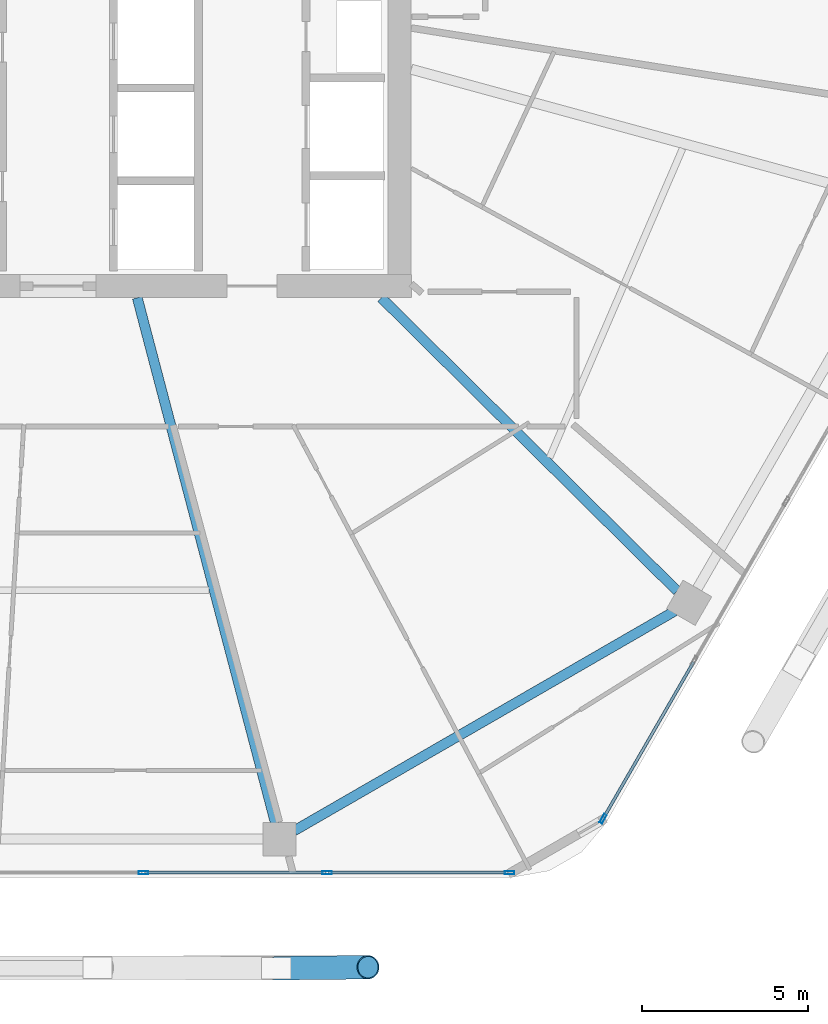
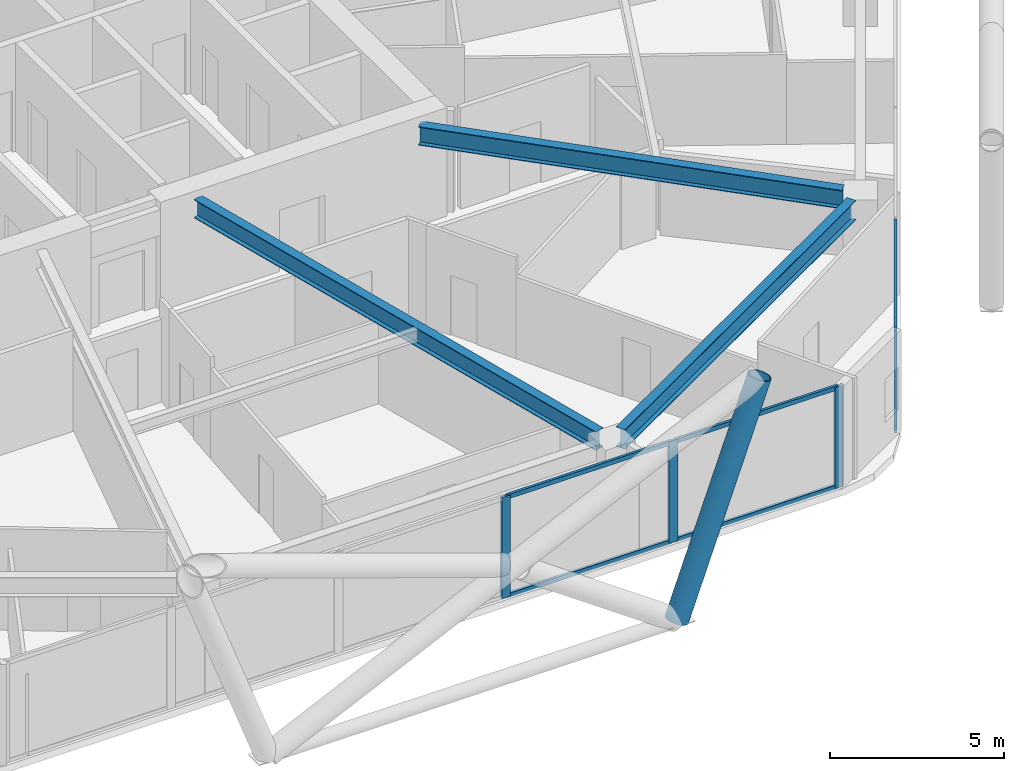
# One storey, part 7 of 28: 11 members, 3 beams, 2 elements without a shape of their own.
"""IFC4 building model written with IfcOpenShell, lengths in metres."""

from ifc_helpers import new_model, si_unit, direction, frame, origin, origin_2d, place, context, subcontext, project, spatial, hollow_rectangle, hollow_circle, i_section, extrude, material, material_profile, profile_set, type_object, element, aggregate, save


model = new_model("IFC4")

# Units and contexts
model_context = context("Model", 3, precision=1e-05, world=origin(), true_north=direction((0.0, 1.0)))
body_context = subcontext(model_context, "Body", "Model", "MODEL_VIEW")
ifc_project = project(units=[si_unit("LENGTHUNIT", "METRE"), si_unit("AREAUNIT", "SQUARE_METRE"), si_unit("VOLUMEUNIT", "CUBIC_METRE"), si_unit("PLANEANGLEUNIT", "RADIAN"), si_unit("MASSUNIT", "GRAM", prefix="KILO")], contexts=[model_context])

# Site, building, storey
site_placement = place(None, origin())
site = spatial("IfcSite", under=ifc_project, at=site_placement, CompositionType="ELEMENT")
building_placement = place(site_placement, origin())
building = spatial("IfcBuilding", under=site, at=building_placement, Name="Zuhravey Tower", CompositionType="ELEMENT")
storey_placement = place(building_placement, frame((0.0, 0.0, 169.39990234375)))
storey = spatial("IfcBuildingStorey", under=building, at=storey_placement, Name="L42", CompositionType="ELEMENT", Elevation=169.39990234375)

# Curtain wall, member
ifc_material_1 = material(Name="Thermally broken anodised aluminium", Category="aluminium")
curtain_wall_type = type_object("IfcCurtainWallType", Name="Zone 1-2 Residential Curtain Wall CW3", PredefinedType="NOTDEFINED", material=ifc_material_1)
curtain_wall_1_placement = place(storey_placement, origin())
curtain_wall_1 = element("IfcCurtainWall", 1, at=curtain_wall_1_placement, inside=storey, type_object=curtain_wall_type, Name="L42 CW3 CW-L42-F6-1", PredefinedType="NOTDEFINED")
ifc_material_2 = material(Name="Anodised aluminium", Category="aluminium")
ifc_material_profile_1 = material_profile(ifc_material_2, hollow_rectangle(XDim=0.090087890625, YDim=0.284912109375, WallThickness=0.0048828125, at=origin_2d()), Name="ALU-RHS-90x285x5")
ifc_profile_set_1 = profile_set([ifc_material_profile_1], Name="Anodised aluminium")
member_type_1 = type_object("IfcMemberType", Name="Curtain-Wall Mullion 90x180", PredefinedType="MULLION", material=ifc_profile_set_1)
member_1_placement = place(storey_placement, frame((52.63330078125, 6.443359375, 0.0), z_axis=(0.0, 0.0, 1.0), x_axis=(0.866025138215, -0.500000459979, 0.0)))
member_1 = element("IfcMember", 2, at=member_1_placement, type_object=member_type_1, Name="CW3 mullion 6", PredefinedType="MULLION", context=body_context, shape_type="SweptSolid", body=[
    extrude(hollow_rectangle(XDim=0.090087890625, YDim=0.284912109375, WallThickness=0.0048828125, at=origin_2d()), origin(), (0.0, 0.0, 1.0), 3.550048828125),
])

# Curtain wall, members
curtain_wall_2_placement = place(storey_placement, origin())
curtain_wall_2 = element("IfcCurtainWall", 3, at=curtain_wall_2_placement, inside=storey, type_object=curtain_wall_type, Name="L42 CW3 CW-L42-F5-1", PredefinedType="NOTDEFINED")
member_2_placement = place(storey_placement, frame((49.816162109375, 4.81689453125, 0.0), z_axis=(0.0, 0.0, 1.0), x_axis=(0.0, -1.0, 0.0)))
member_2 = element("IfcMember", 4, at=member_2_placement, type_object=member_type_1, Name="CW3 mullion 1", PredefinedType="MULLION", context=body_context, shape_type="SweptSolid", body=[
    extrude(hollow_rectangle(XDim=0.090087890625, YDim=0.284912109375, WallThickness=0.0048828125, at=origin_2d()), origin(), (0.0, 0.0, 1.0), 3.550048828125),
])
member_3_placement = place(storey_placement, frame((44.316650390625, 4.81689453125, 0.0), z_axis=(0.0, 0.0, 1.0), x_axis=(0.0, -1.0, 0.0)))
member_3 = element("IfcMember", 5, at=member_3_placement, type_object=member_type_1, Name="CW3 mullion 2", PredefinedType="MULLION", context=body_context, shape_type="SweptSolid", body=[
    extrude(hollow_rectangle(XDim=0.090087890625, YDim=0.284912109375, WallThickness=0.0048828125, at=origin_2d()), origin(), (0.0, 0.0, 1.0), 3.550048828125),
])
member_4_placement = place(storey_placement, frame((38.772216796875, 4.81689453125, 0.0), z_axis=(0.0, 0.0, 1.0), x_axis=(0.0, -1.0, 0.0)))
member_4 = element("IfcMember", 6, at=member_4_placement, type_object=member_type_1, Name="CW3 mullion 3", PredefinedType="MULLION", context=body_context, shape_type="SweptSolid", body=[
    extrude(hollow_rectangle(XDim=0.090087890625, YDim=0.284912109375, WallThickness=0.0048828125, at=origin_2d()), origin(), (0.0, 0.0, 1.0), 3.550048828125),
])

# Member
ifc_material_profile_2 = material_profile(ifc_material_2, hollow_rectangle(XDim=0.090087890625, YDim=0.14990234375, WallThickness=0.0048828125, at=origin_2d()), Name="ALU-RHS-90x150x5")
ifc_profile_set_2 = profile_set([ifc_material_profile_2], Name="Anodised aluminium")
member_type_2 = type_object("IfcMemberType", Name="Curtain-Wall Transom 90x150", PredefinedType="USERDEFINED", material=ifc_profile_set_2)
member_5_placement = place(storey_placement, frame((55.3603515625, 11.1669921875, 0.045166015625), z_axis=(-0.499993332629, -0.866029253159, 0.0), x_axis=(0.866029253159, -0.499993332629, 0.0)))
member_5 = element("IfcMember", 7, at=member_5_placement, type_object=member_type_2, Name="CW3 transom 5.1", ObjectType="TRANSOM", PredefinedType="USERDEFINED", context=body_context, shape_type="SweptSolid", body=[
    extrude(hollow_rectangle(XDim=0.090087890625, YDim=0.14990234375, WallThickness=0.0048828125, at=origin_2d()), origin(), (0.0, 0.0, 1.0), 5.4091796875),
])

member_6_placement = place(storey_placement, frame((55.3603515625, 11.1669921875, 3.505126953125), z_axis=(-0.499993332629, -0.866029253159, 0.0), x_axis=(0.866029253159, -0.499993332629, 0.0)))
member_6 = element("IfcMember", 8, at=member_6_placement, type_object=member_type_2, Name="CW3 transom 5.2", ObjectType="TRANSOM", PredefinedType="USERDEFINED", context=body_context, shape_type="SweptSolid", body=[
    extrude(hollow_rectangle(XDim=0.090087890625, YDim=0.14990234375, WallThickness=0.0048828125, at=origin_2d()), origin(), (0.0, 0.0, 1.0), 5.4091796875),
])

aggregate(curtain_wall_1, [member_1, member_5, member_6])

member_7_placement = place(storey_placement, frame((49.77099609375, 4.81689453125, 0.045166015625), z_axis=(-1.0, 0.0, 0.0), x_axis=(0.0, -1.0, 0.0)))
member_7 = element("IfcMember", 9, at=member_7_placement, type_object=member_type_2, Name="CW3 transom 1.1", ObjectType="TRANSOM", PredefinedType="USERDEFINED", context=body_context, shape_type="SweptSolid", body=[
    extrude(hollow_rectangle(XDim=0.090087890625, YDim=0.14990234375, WallThickness=0.0048828125, at=origin_2d()), origin(), (0.0, 0.0, 1.0), 5.409423828125),
])

member_8_placement = place(storey_placement, frame((49.77099609375, 4.81689453125, 3.505126953125), z_axis=(-1.0, 0.0, 0.0), x_axis=(0.0, -1.0, 0.0)))
member_8 = element("IfcMember", 10, at=member_8_placement, type_object=member_type_2, Name="CW3 transom 1.2", ObjectType="TRANSOM", PredefinedType="USERDEFINED", context=body_context, shape_type="SweptSolid", body=[
    extrude(hollow_rectangle(XDim=0.090087890625, YDim=0.14990234375, WallThickness=0.0048828125, at=origin_2d()), origin(), (0.0, 0.0, 1.0), 5.409423828125),
])

member_9_placement = place(storey_placement, frame((44.271728515625, 4.81689453125, 0.045166015625), z_axis=(-1.0, 0.0, 0.0), x_axis=(0.0, -1.0, 0.0)))
member_9 = element("IfcMember", 11, at=member_9_placement, type_object=member_type_2, Name="CW3 transom 2.1", ObjectType="TRANSOM", PredefinedType="USERDEFINED", context=body_context, shape_type="SweptSolid", body=[
    extrude(hollow_rectangle(XDim=0.090087890625, YDim=0.14990234375, WallThickness=0.0048828125, at=origin_2d()), origin(), (0.0, 0.0, 1.0), 5.45458984375),
])

member_10_placement = place(storey_placement, frame((44.271728515625, 4.81689453125, 3.505126953125), z_axis=(-1.0, 0.0, 0.0), x_axis=(0.0, -1.0, 0.0)))
member_10 = element("IfcMember", 12, at=member_10_placement, type_object=member_type_2, Name="CW3 transom 2.2", ObjectType="TRANSOM", PredefinedType="USERDEFINED", context=body_context, shape_type="SweptSolid", body=[
    extrude(hollow_rectangle(XDim=0.090087890625, YDim=0.14990234375, WallThickness=0.0048828125, at=origin_2d()), origin(), (0.0, 0.0, 1.0), 5.45458984375),
])

aggregate(curtain_wall_2, [member_2, member_3, member_4, member_7, member_8, member_9, member_10])

ifc_material_3 = material(Name="Steel SM460", Category="steel")
ifc_material_profile_3 = material_profile(ifc_material_3, hollow_circle(Radius=0.355712890625, WallThickness=0.031982421875, at=origin_2d()), Name="CHS-711.2x32")
ifc_profile_set_3 = profile_set([ifc_material_profile_3], Name="Steel SM460")
member_type_3 = type_object("IfcMemberType", Name="Exoskeleton Zone 2 Diagrid CHS711x32", PredefinedType="BRACE", material=ifc_profile_set_3)
member_11_placement = place(storey_placement, frame((42.788330078125, 1.93701171875, -0.44384765625), z_axis=(0.342856044852, 0.003700976595, 0.939380665801), x_axis=(-0.010793920789, 0.99994174394, 0.0)))
element("IfcMember", 13, at=member_11_placement, inside=storey, type_object=member_type_3, Name="L42 Face 5 Diagrid Brace 4", PredefinedType="BRACE", context=body_context, shape_type="SweptSolid", body=[
    extrude(hollow_circle(Radius=0.355712890625, WallThickness=0.031982421875, at=origin_2d()), origin(), (0.0, 0.0, 1.0), 8.0478515625),
])

# Beams
ifc_material_4 = material(Name="Steel SM355", Category="steel")
ifc_material_profile_4 = material_profile(ifc_material_4, i_section(OverallWidth=0.300048828125, OverallDepth=0.679931640625, WebThickness=0.012939453125, FlangeThickness=0.02197265625, at=origin_2d()), Name="H-680x300x13x22")
ifc_profile_set_4 = profile_set([ifc_material_profile_4], Name="Steel SM355")
beam_type_1 = type_object("IfcBeamType", Name="Perimeter Ring Beam H680x300", PredefinedType="BEAM", material=ifc_profile_set_4)
beam_1_placement = place(storey_placement, frame((43.317626953125, 6.078369140625, 3.210205078125), z_axis=(0.866022923061, 0.500004296715, 0.0), x_axis=(-0.500004296715, 0.866022923061, 0.0)))
element("IfcBeam", 14, at=beam_1_placement, inside=storey, type_object=beam_type_1, Name="L42 PB2 BM-L42-PB-10", PredefinedType="BEAM", context=body_context, shape_type="SweptSolid", body=[
    extrude(i_section(OverallWidth=0.300048828125, OverallDepth=0.679931640625, WebThickness=0.012939453125, FlangeThickness=0.02197265625, at=origin_2d()), origin(), (0.0, 0.0, 1.0), 13.2470703125),
])
ifc_material_profile_5 = material_profile(ifc_material_4, i_section(OverallWidth=0.300048828125, OverallDepth=0.64990234375, WebThickness=0.012939453125, FlangeThickness=0.02197265625, at=origin_2d()), Name="H-650x300x13x22")
ifc_profile_set_5 = profile_set([ifc_material_profile_5], Name="Steel SM355")
beam_type_2 = type_object("IfcBeamType", Name="Radial Primary Girder H650x300", PredefinedType="BEAM", material=ifc_profile_set_5)
beam_2_placement = place(storey_placement, frame((38.5908203125, 22.14697265625, 3.22509765625), z_axis=(0.254300244998, -0.967125320418, 0.0), x_axis=(0.967125320418, 0.254300244998, 0.0)))
element("IfcBeam", 15, at=beam_2_placement, inside=storey, type_object=beam_type_2, Name="L42 RG2 BM-L42-RAD-10", PredefinedType="BEAM", context=body_context, shape_type="SweptSolid", body=[
    extrude(i_section(OverallWidth=0.300048828125, OverallDepth=0.64990234375, WebThickness=0.012939453125, FlangeThickness=0.02197265625, at=origin_2d()), origin(), (0.0, 0.0, 1.0), 16.371826171875),
])
beam_3_placement = place(storey_placement, frame((45.945556640625, 22.14697265625, 3.22509765625), z_axis=(0.71040353357, -0.703794586148, 0.0), x_axis=(0.703794586148, 0.71040353357, 0.0)))
element("IfcBeam", 16, at=beam_3_placement, inside=storey, type_object=beam_type_2, Name="L42 RG2 BM-L42-RAD-11", PredefinedType="BEAM", context=body_context, shape_type="SweptSolid", body=[
    extrude(i_section(OverallWidth=0.300048828125, OverallDepth=0.64990234375, WebThickness=0.012939453125, FlangeThickness=0.02197265625, at=origin_2d()), origin(), (0.0, 0.0, 1.0), 12.559814453125),
])

save(model, "model.ifc")
